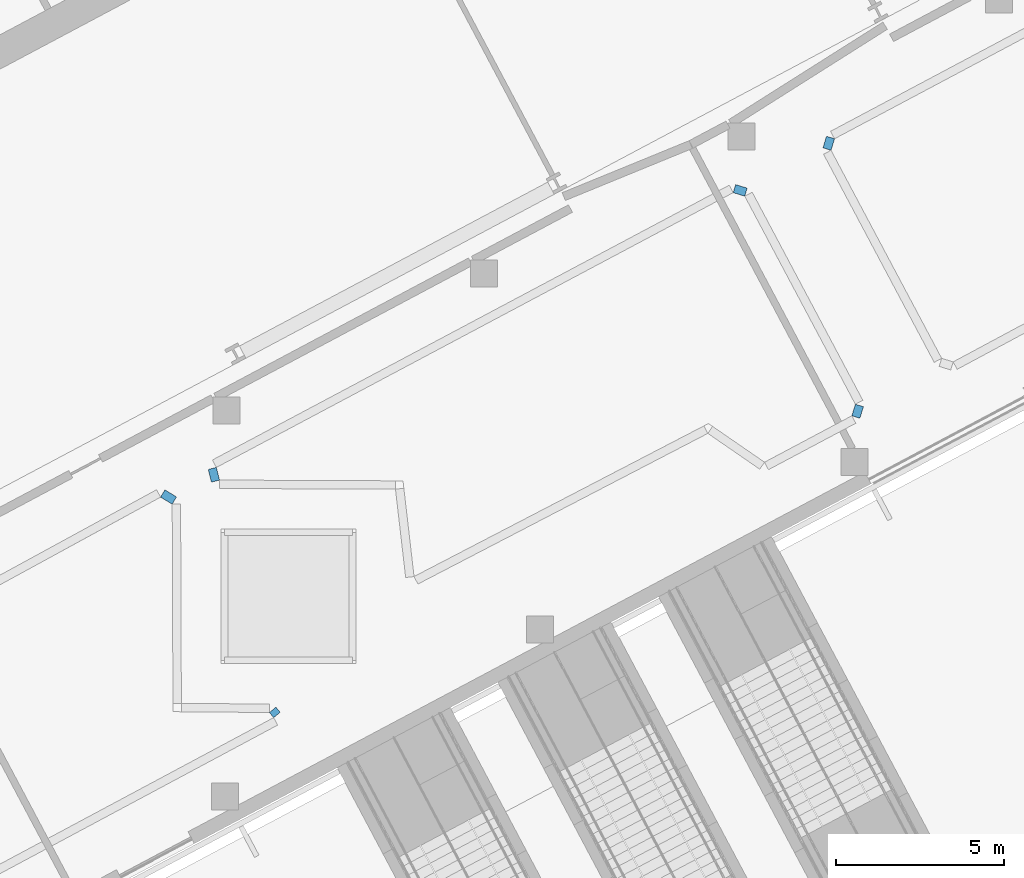
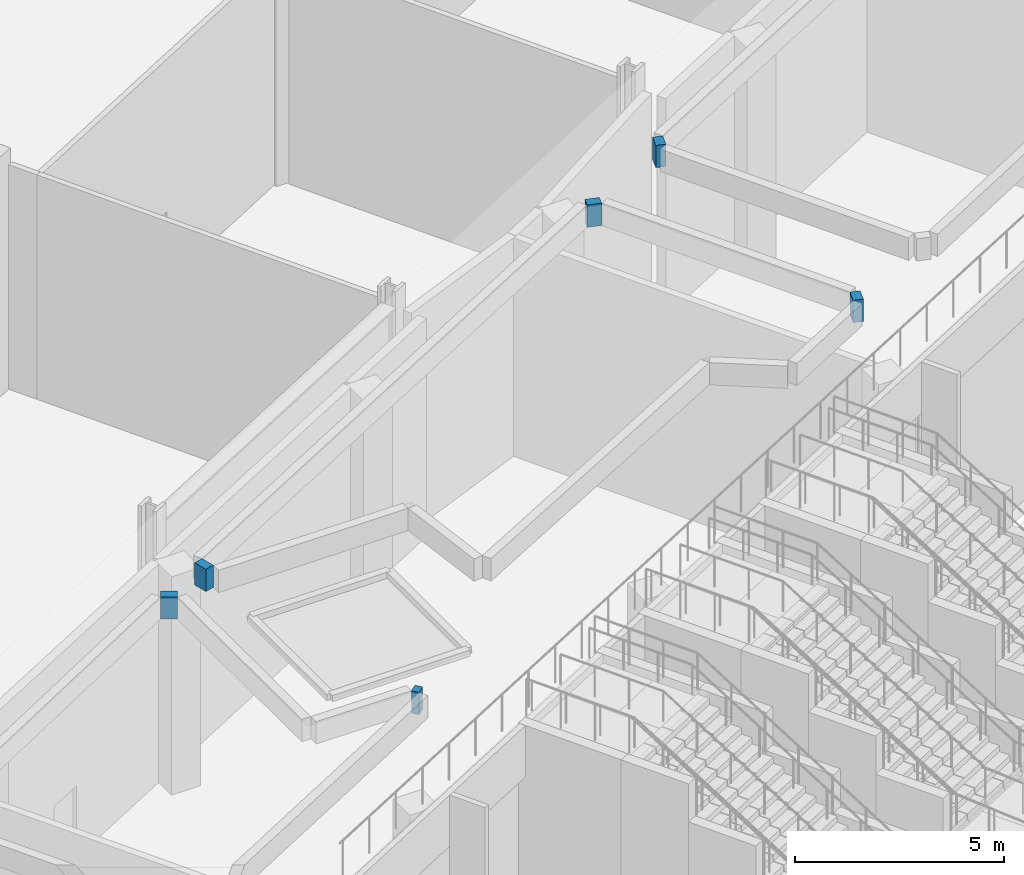
# One storey, part 29 of 57: 6 walls.
"""IFC4 building model written with IfcOpenShell, lengths in metres."""

from ifc_helpers import new_model, si_unit, direction, frame, frame_2d, origin, place, context, subcontext, project, spatial, rectangle, extrude, material, layer, layer_set, type_object, element, save


model = new_model("IFC4")

# Units and contexts
model_context = context("Model", 3, precision=1e-05, world=origin(), true_north=direction((0.0, 1.0)))
body_context = subcontext(model_context, "Body", "Model", "MODEL_VIEW")
ifc_project = project(units=[si_unit("LENGTHUNIT", "METRE"), si_unit("AREAUNIT", "SQUARE_METRE"), si_unit("VOLUMEUNIT", "CUBIC_METRE"), si_unit("PLANEANGLEUNIT", "RADIAN"), si_unit("MASSUNIT", "GRAM", prefix="KILO")], contexts=[model_context])

# Site, building, storey
site_placement = place(None, origin())
site = spatial("IfcSite", under=ifc_project, at=site_placement, CompositionType="ELEMENT")
building_placement = place(site_placement, origin())
building = spatial("IfcBuilding", under=site, at=building_placement, Name="Cormorant Relay Tower", CompositionType="ELEMENT")
storey_placement = place(building_placement, origin())
storey = spatial("IfcBuildingStorey", under=building, at=storey_placement, Name="L00", CompositionType="ELEMENT", Elevation=0.0)

# Walls
ifc_material = material(Name="Concrete 40 MPa", Category="concrete")
ifc_layer = layer(ifc_material, 0.25)
ifc_layer_set = layer_set([ifc_layer], Name="Planter kerb 250")
wall_type = type_object("IfcWallType", Name="Planter kerb 250", PredefinedType="STANDARD", material=ifc_layer_set)
wall_1_placement = place(storey_placement, frame((31.6005859375, -9.685302734375, 7.0), z_axis=(0.0, 0.0, 1.0), x_axis=(0.857224591232, -0.514942715442, 0.0)))
element("IfcWall", 1, at=wall_1_placement, inside=storey, type_object=wall_type, Name="PLANTER 04 kerb", PredefinedType="STANDARD", context=body_context, shape_type="SweptSolid", body=[
    extrude(rectangle(XDim=0.401611328125, YDim=0.25, at=frame_2d((0.20068359375, 0.0))), origin(), (0.0, 0.0, 1.0), 0.64990234375),
])
wall_2_placement = place(storey_placement, frame((34.86328125, -16.103759765625, 7.0), z_axis=(0.0, 0.0, 1.0), x_axis=(0.633843143995, -0.77346161431, 0.0)))
element("IfcWall", 2, at=wall_2_placement, inside=storey, type_object=wall_type, Name="PLANTER 04 kerb", PredefinedType="STANDARD", context=body_context, shape_type="SweptSolid", body=[
    extrude(rectangle(XDim=0.197509765625, YDim=0.25, at=frame_2d((0.0986328125, 0.0))), origin(), (0.0, 0.0, 1.0), 0.64990234375),
])
wall_3_placement = place(storey_placement, frame((33.1650390625, -9.315185546875, 7.0), z_axis=(0.0, 0.0, 1.0), x_axis=(-0.241941038466, 0.970290953223, 0.0)))
element("IfcWall", 3, at=wall_3_placement, inside=storey, type_object=wall_type, Name="PLANTER 05 kerb", PredefinedType="STANDARD", context=body_context, shape_type="SweptSolid", body=[
    extrude(rectangle(XDim=0.386474609375, YDim=0.25, at=frame_2d((0.193359375, 0.0))), origin(), (0.0, 0.0, 1.0), 0.64990234375),
])
wall_4_placement = place(storey_placement, frame((48.56494140625, -0.63623046875, 7.0), z_axis=(0.0, 0.0, 1.0), x_axis=(0.956161046089, -0.292841346024, 0.0)))
element("IfcWall", 4, at=wall_4_placement, inside=storey, type_object=wall_type, Name="PLANTER 05 kerb", PredefinedType="STANDARD", context=body_context, shape_type="SweptSolid", body=[
    extrude(rectangle(XDim=0.3583984375, YDim=0.25, at=frame_2d((0.17919921875, 0.0))), origin(), (0.0, 0.0, 1.0), 0.64990234375),
])
for number, where, z_axis, x_axis, name in (
    (5, (52.273681640625, -7.071533203125, 7.0), (0.0, 0.0, 1.0), (-0.2920282937, -0.956409679833, 0.0), "PLANTER 05 kerb"),
    (6, (51.312255859375, 0.537353515625, 7.0), (0.0, 0.0, 1.0), (0.2920282937, 0.956409679833, 0.0), "PLANTER 07 kerb"),
):
    element("IfcWall", number, at=place(storey_placement, frame(where, z_axis=z_axis, x_axis=x_axis)), inside=storey, type_object=wall_type, Name=name, PredefinedType="STANDARD", context=body_context, shape_type="SweptSolid", body=[
        extrude(rectangle(XDim=0.358642578125, YDim=0.25, at=frame_2d((0.17919921875, 0.0))), origin(), (0.0, 0.0, 1.0), 0.64990234375),
    ])

save(model, "model.ifc")
